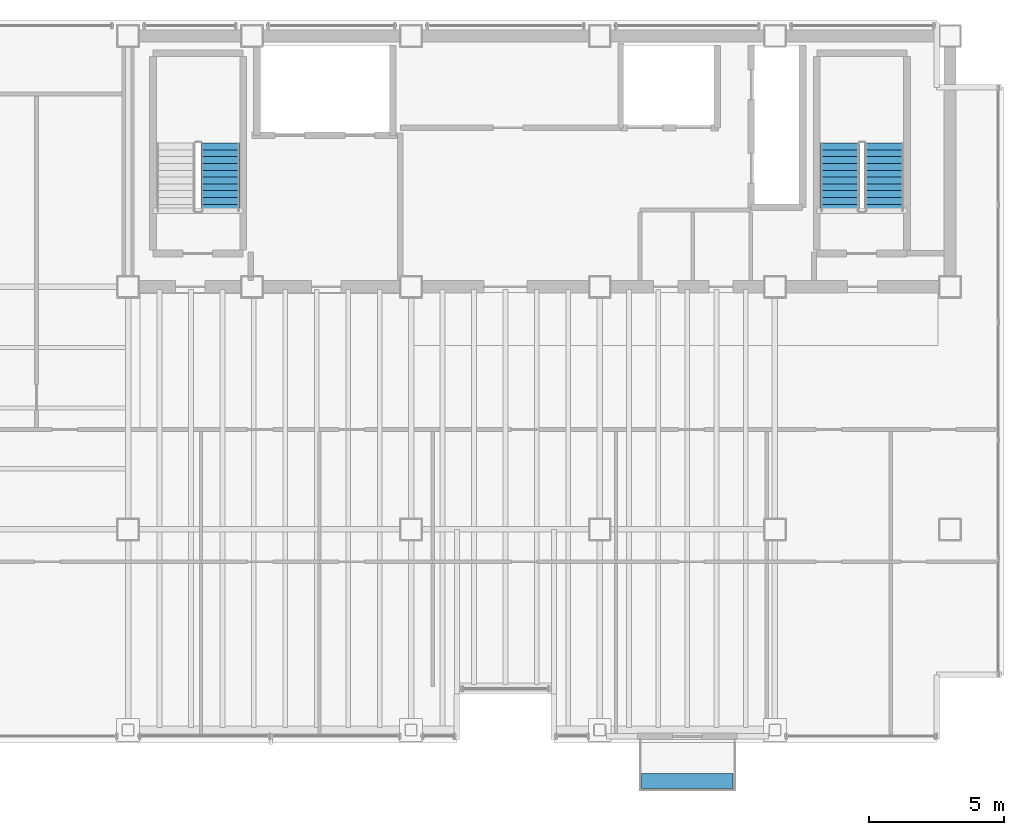
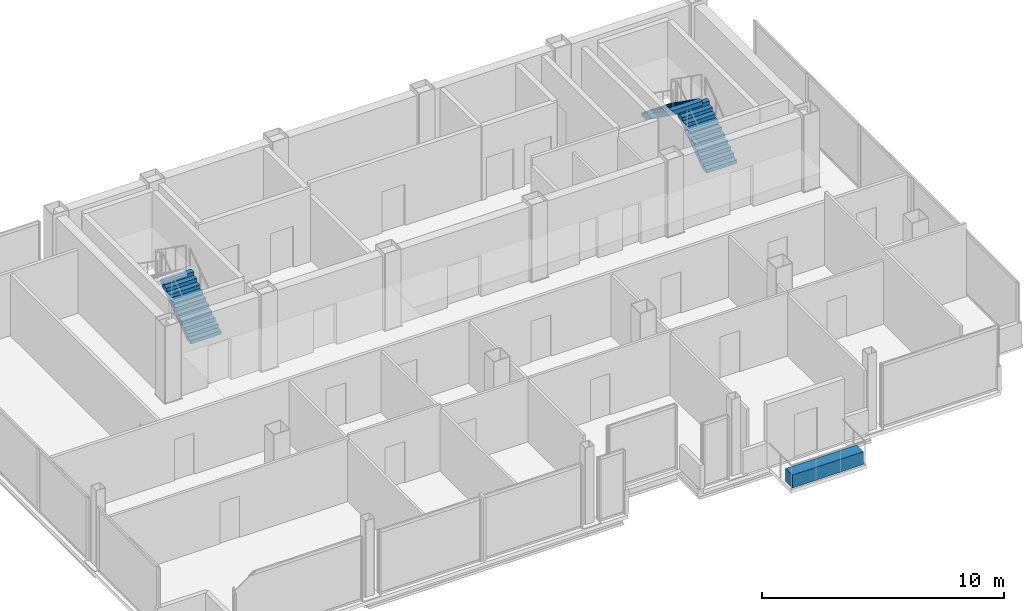
# One storey, part 16 of 17: 3 stair flights, 1 discrete accessory, 2 elements without a shape of their own.
"""IFC4 building model written with IfcOpenShell, lengths in metres."""

from ifc_helpers import new_model, si_unit, direction, frame, origin, origin_2d, place, context, subcontext, project, spatial, polyline, rectangle, outline, extrude, material, layer, layer_set, type_object, element, aggregate, save


model = new_model("IFC4")

# Units and contexts
model_context = context("Model", 3, precision=1e-05, world=origin(), true_north=direction((0.0, 1.0)))
body_context = subcontext(model_context, "Body", "Model", "MODEL_VIEW")
ifc_project = project(units=[si_unit("LENGTHUNIT", "METRE"), si_unit("AREAUNIT", "SQUARE_METRE"), si_unit("VOLUMEUNIT", "CUBIC_METRE"), si_unit("PLANEANGLEUNIT", "RADIAN"), si_unit("MASSUNIT", "GRAM", prefix="KILO")], contexts=[model_context])

# Site, building, storey
site_placement = place(None, origin())
site = spatial("IfcSite", under=ifc_project, at=site_placement, CompositionType="ELEMENT")
building_placement = place(site_placement, origin())
building = spatial("IfcBuilding", under=site, at=building_placement, Name="Noeulbin Bourse Tower", CompositionType="ELEMENT")
storey_placement = place(building_placement, frame((0.0, 0.0, 246.199951171875)))
storey = spatial("IfcBuildingStorey", under=building, at=storey_placement, Name="L61", CompositionType="ELEMENT", Elevation=246.199951171875)

# Stair, stair flight
ifc_material_1 = material(Name="Concrete C40/50", Category="concrete")
stair_type = type_object("IfcStairType", Name="STR-CORE-1560", PredefinedType="HALF_TURN_STAIR", material=ifc_material_1)
stair_1_placement = place(storey_placement, origin())
stair_1 = element("IfcStair", 1, at=stair_1_placement, inside=storey, type_object=stair_type, Name="L61 ST-1", PredefinedType="HALF_TURN_STAIR")
stair_flight_type = type_object("IfcStairFlightType", Name="SFL-CORE-1560", PredefinedType="STRAIGHT", material=ifc_material_1)
stair_flight_1_placement = place(storey_placement, frame((16.925048828125, 31.81005859375, 0.0), z_axis=(0.0, 0.0, 1.0), x_axis=(0.0, 1.0, 0.0)))
stair_flight_1 = element("IfcStairFlight", 2, at=stair_flight_1_placement, type_object=stair_flight_type, Name="ST-1 flight 1", NumberOfRisers=11, NumberOfTreads=10, PredefinedType="STRAIGHT", RiserHeight=0.177272727, TreadLength=0.252, context=body_context, shape_type="SweptSolid", body=[
    extrude(outline(polyline([(0.0, 0.0), (0.0, 0.17724609375), (0.251953125, 0.17724609375), (0.251953125, 0.3544921875), (0.50390625, 0.3544921875), (0.50390625, 0.53173828125), (0.756103515625, 0.53173828125), (0.756103515625, 0.708984375), (1.008056640625, 0.708984375), (1.008056640625, 0.886474609375), (1.260009765625, 0.886474609375), (1.260009765625, 1.063720703125), (1.511962890625, 1.063720703125), (1.511962890625, 1.240966796875), (1.763916015625, 1.240966796875), (1.763916015625, 1.418212890625), (2.01611328125, 1.418212890625), (2.01611328125, 1.595458984375), (2.26806640625, 1.595458984375), (2.26806640625, 1.772705078125), (2.52001953125, 1.772705078125), (2.52001953125, 1.949951171875), (2.52001953125, 1.552734375), (0.312744140625, 0.0), (0.0, 0.0)])), frame((0.0, 0.72509765625, 0.0), z_axis=(0.0, -1.0, 0.0), x_axis=(1.0, 0.0, 0.0)), (0.0, 0.0, 1.0), 1.449951171875),
])
aggregate(stair_1, [stair_flight_1])

# Stair, stair flights
stair_2_placement = place(storey_placement, origin())
stair_2 = element("IfcStair", 3, at=stair_2_placement, inside=storey, type_object=stair_type, Name="L61 ST-2", PredefinedType="HALF_TURN_STAIR")
stair_flight_2_placement = place(storey_placement, frame((41.554931640625, 31.81005859375, 0.0), z_axis=(0.0, 0.0, 1.0), x_axis=(0.0, 1.0, 0.0)))
stair_flight_2 = element("IfcStairFlight", 4, at=stair_flight_2_placement, type_object=stair_flight_type, Name="ST-2 flight 1", NumberOfRisers=11, NumberOfTreads=10, PredefinedType="STRAIGHT", RiserHeight=0.177272727, TreadLength=0.252, context=body_context, shape_type="SweptSolid", body=[
    extrude(outline(polyline([(0.0, 0.0), (0.0, 0.17724609375), (0.251953125, 0.17724609375), (0.251953125, 0.3544921875), (0.50390625, 0.3544921875), (0.50390625, 0.53173828125), (0.756103515625, 0.53173828125), (0.756103515625, 0.708984375), (1.008056640625, 0.708984375), (1.008056640625, 0.886474609375), (1.260009765625, 0.886474609375), (1.260009765625, 1.063720703125), (1.511962890625, 1.063720703125), (1.511962890625, 1.240966796875), (1.763916015625, 1.240966796875), (1.763916015625, 1.418212890625), (2.01611328125, 1.418212890625), (2.01611328125, 1.595458984375), (2.26806640625, 1.595458984375), (2.26806640625, 1.772705078125), (2.52001953125, 1.772705078125), (2.52001953125, 1.949951171875), (2.52001953125, 1.552734375), (0.312744140625, 0.0), (0.0, 0.0)])), frame((0.0, 0.72509765625, 0.0), z_axis=(0.0, -1.0, 0.0), x_axis=(1.0, 0.0, 0.0)), (0.0, 0.0, 1.0), 1.449951171875),
])
stair_flight_3_placement = place(storey_placement, frame((39.905029296875, 34.330078125, 1.949951171875), z_axis=(0.0, 0.0, 1.0), x_axis=(0.0, -1.0, 0.0)))
stair_flight_3 = element("IfcStairFlight", 5, at=stair_flight_3_placement, type_object=stair_flight_type, Name="ST-2 flight 2", NumberOfRisers=11, NumberOfTreads=10, PredefinedType="STRAIGHT", RiserHeight=0.177272727, TreadLength=0.252, context=body_context, shape_type="SweptSolid", body=[
    extrude(outline(polyline([(0.0, 0.0), (0.0, 0.17724609375), (0.251953125, 0.17724609375), (0.251953125, 0.3544921875), (0.50390625, 0.3544921875), (0.50390625, 0.53173828125), (0.756103515625, 0.53173828125), (0.756103515625, 0.708984375), (1.008056640625, 0.708984375), (1.008056640625, 0.886474609375), (1.260009765625, 0.886474609375), (1.260009765625, 1.063720703125), (1.511962890625, 1.063720703125), (1.511962890625, 1.240966796875), (1.763916015625, 1.240966796875), (1.763916015625, 1.418212890625), (2.01611328125, 1.418212890625), (2.01611328125, 1.595458984375), (2.26806640625, 1.595458984375), (2.26806640625, 1.772705078125), (2.52001953125, 1.772705078125), (2.52001953125, 1.949951171875), (2.52001953125, 1.552734375), (0.312744140625, 0.0), (0.0, 0.0)])), frame((0.0, 0.72509765625, 0.0), z_axis=(0.0, -1.0, 0.0), x_axis=(1.0, 0.0, 0.0)), (0.0, 0.0, 1.0), 1.449951171875),
])
aggregate(stair_2, [stair_flight_2, stair_flight_3])

# Discrete accessory
ifc_material_2 = material(Name="Architectural GFRC Concrete C40/50", Category="concrete")
ifc_layer = layer(ifc_material_2, 0.64990234375)
ifc_layer_set = layer_set([ifc_layer], Name="Architectural GFRC Concrete C40/50")
discrete_accessory_type = type_object("IfcDiscreteAccessoryType", Name="PLANTER-BOX-3600", PredefinedType="USERDEFINED", material=ifc_layer_set)
discrete_accessory_placement = place(storey_placement, frame((34.25, 10.659912109375, 0.0), z_axis=(0.0, 0.0, 1.0), x_axis=(1.0, 0.0, 0.0)))
element("IfcDiscreteAccessory", 6, at=discrete_accessory_placement, inside=storey, type_object=discrete_accessory_type, Name="Integrated Balcony Tree Planter Box L61", ObjectType="PLANTER", PredefinedType="USERDEFINED", context=body_context, shape_type="SweptSolid", body=[
    extrude(rectangle(XDim=3.39990234375, YDim=0.550048828125, at=origin_2d()), origin(), (0.0, 0.0, 1.0), 0.64990234375),
])

save(model, "model.ifc")
